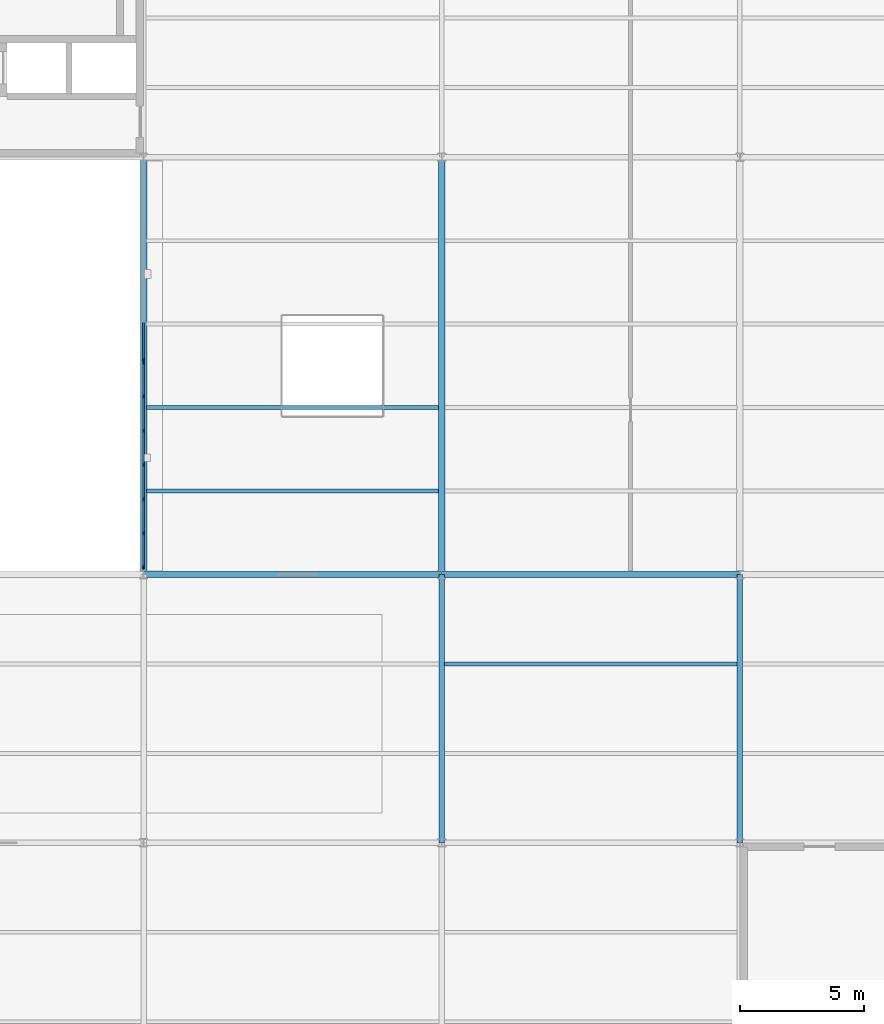
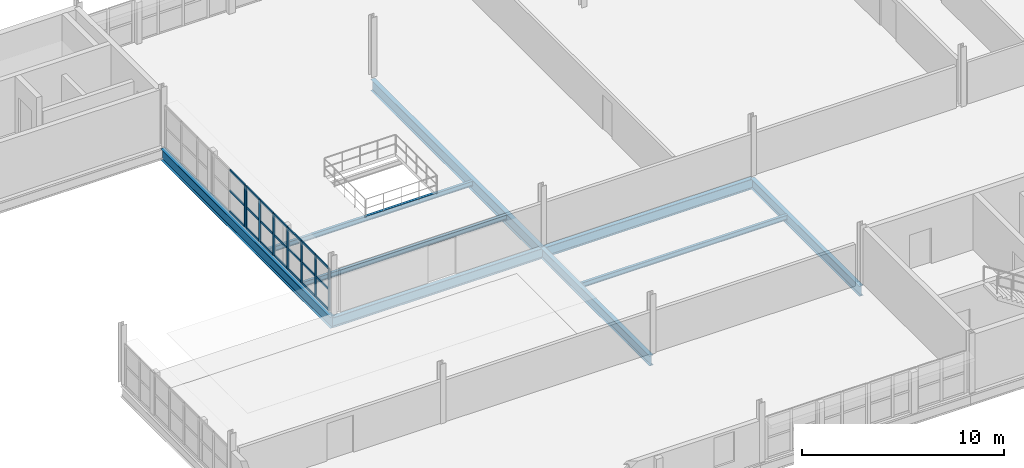
# One storey, part 37 of 79: 29 members, 9 beams, 2 elements without a shape of their own.
"""IFC4 building model written with IfcOpenShell, lengths in metres."""

from ifc_helpers import new_model, si_unit, direction, frame, origin, origin_2d, place, context, subcontext, project, spatial, rectangle, i_section, extrude, material, layer, layer_set, material_profile, profile_set, type_object, element, aggregate, save


model = new_model("IFC4")

# Units and contexts
model_context = context("Model", 3, precision=1e-05, world=origin(), true_north=direction((0.0, 1.0)))
body_context = subcontext(model_context, "Body", "Model", "MODEL_VIEW")
ifc_project = project(units=[si_unit("LENGTHUNIT", "METRE"), si_unit("AREAUNIT", "SQUARE_METRE"), si_unit("VOLUMEUNIT", "CUBIC_METRE"), si_unit("PLANEANGLEUNIT", "RADIAN"), si_unit("MASSUNIT", "GRAM", prefix="KILO"), si_unit("THERMODYNAMICTEMPERATUREUNIT", "KELVIN"), si_unit("POWERUNIT", "WATT")], contexts=[model_context])

# Site, building, storey
site_placement = place(None, origin())
site = spatial("IfcSite", under=ifc_project, at=site_placement, CompositionType="ELEMENT")
building_placement = place(site_placement, origin())
building = spatial("IfcBuilding", under=site, at=building_placement, Name="Tembeka Court Mobility Hub", CompositionType="ELEMENT")
storey_placement = place(building_placement, frame((0.0, 0.0, 9.0)))
storey = spatial("IfcBuildingStorey", under=building, at=storey_placement, Name="L02", CompositionType="ELEMENT", Elevation=9.0)

# Beams
ifc_material_1 = material(Name="Steel S355", Category="steel")
ifc_material_profile_1 = material_profile(ifc_material_1, i_section(OverallWidth=0.25390625, OverallDepth=0.68408203125, WebThickness=0.012451171875, FlangeThickness=0.01904296875, FilletRadius=0.01513671875, at=origin_2d()), Name="UKB 686x254x140")
ifc_profile_set_1 = profile_set([ifc_material_profile_1], Name="Steel S355")
beam_type_1 = type_object("IfcBeamType", Name="BM-G01", PredefinedType="USERDEFINED", material=ifc_profile_set_1)
for number, where, z_axis, x_axis, name in (
    (1, (128.39990234375, 21.60009765625, -0.531982421875), (0.0, 1.0, 0.0), (-1.0, 0.0, 0.0), "Beam G01 (BM-L02-Y1417)"),
    (2, (140.39990234375, 21.60009765625, -0.531982421875), (0.0, 1.0, 0.0), (-1.0, 0.0, 0.0), "Beam G01 (BM-L02-Y1421)"),
):
    element("IfcBeam", number, at=place(storey_placement, frame(where, z_axis=z_axis, x_axis=x_axis)), inside=storey, type_object=beam_type_1, Name=name, ObjectType="GIRDER", PredefinedType="USERDEFINED", context=body_context, shape_type="SweptSolid", body=[
        extrude(i_section(OverallWidth=0.25390625, OverallDepth=0.68408203125, WebThickness=0.012451171875, FlangeThickness=0.01904296875, FilletRadius=0.01513671875, at=origin_2d()), origin(), (0.0, 0.0, 1.0), 16.7998046875),
    ])
ifc_material_profile_2 = material_profile(ifc_material_1, i_section(OverallWidth=0.22900390625, OverallDepth=0.612060546875, WebThickness=0.011962890625, FlangeThickness=0.01953125, FilletRadius=0.0126953125, at=origin_2d()), Name="UKB 610x229x125")
ifc_profile_set_2 = profile_set([ifc_material_profile_2], Name="Steel S355")
beam_type_2 = type_object("IfcBeamType", Name="BM-G02", PredefinedType="USERDEFINED", material=ifc_profile_set_2)
for number, where, z_axis, x_axis, name in (
    (3, (128.39990234375, 21.60009765625, -0.49609375), (1.0, 0.0, 0.0), (0.0, 1.0, 0.0), "Beam G02 (BM-L02-X1205)"),
    (4, (140.39990234375, 21.60009765625, -0.49609375), (1.0, 0.0, 0.0), (0.0, 1.0, 0.0), "Beam G02 (BM-L02-X1206)"),
):
    element("IfcBeam", number, at=place(storey_placement, frame(where, z_axis=z_axis, x_axis=x_axis)), inside=storey, type_object=beam_type_2, Name=name, ObjectType="GIRDER", PredefinedType="USERDEFINED", context=body_context, shape_type="SweptSolid", body=[
        extrude(i_section(OverallWidth=0.22900390625, OverallDepth=0.612060546875, WebThickness=0.011962890625, FlangeThickness=0.01953125, FilletRadius=0.0126953125, at=origin_2d()), origin(), (0.0, 0.0, 1.0), 12.0),
    ])
for number, where, z_axis, x_axis, name in (
    (5, (140.39990234375, 10.800048828125, -0.49609375), (0.0, 1.0, 0.0), (-1.0, 0.0, 0.0), "Beam G02 (BM-L02-Y1420)"),
    (6, (152.39990234375, 10.800048828125, -0.49609375), (0.0, 1.0, 0.0), (-1.0, 0.0, 0.0), "Beam G02 (BM-L02-Y1424)"),
):
    element("IfcBeam", number, at=place(storey_placement, frame(where, z_axis=z_axis, x_axis=x_axis)), inside=storey, type_object=beam_type_2, Name=name, ObjectType="GIRDER", PredefinedType="USERDEFINED", context=body_context, shape_type="SweptSolid", body=[
        extrude(i_section(OverallWidth=0.22900390625, OverallDepth=0.612060546875, WebThickness=0.011962890625, FlangeThickness=0.01953125, FilletRadius=0.0126953125, at=origin_2d()), origin(), (0.0, 0.0, 1.0), 10.800048828125),
    ])
ifc_material_profile_3 = material_profile(ifc_material_1, i_section(OverallWidth=0.14990234375, OverallDepth=0.300048828125, WebThickness=0.007080078125, FlangeThickness=0.0107421875, FilletRadius=0.014892578125, at=origin_2d()), Name="IPE 300")
ifc_profile_set_3 = profile_set([ifc_material_profile_3], Name="Steel S355")
beam_type_3 = type_object("IfcBeamType", Name="BM-J04", PredefinedType="JOIST", material=ifc_profile_set_3)
for number, where, z_axis, x_axis, name in (
    (7, (128.52197265625, 24.9599609375, -0.340087890625), (1.0, 0.0, 0.0), (0.0, 1.0, 0.0), "Beam J04 (JST-L02-1643)"),
    (8, (128.52197265625, 28.320068359375, -0.340087890625), (1.0, 0.0, 0.0), (0.0, 1.0, 0.0), "Beam J04 (JST-L02-1644)"),
):
    element("IfcBeam", number, at=place(storey_placement, frame(where, z_axis=z_axis, x_axis=x_axis)), inside=storey, type_object=beam_type_3, Name=name, PredefinedType="JOIST", context=body_context, shape_type="SweptSolid", body=[
        extrude(i_section(OverallWidth=0.14990234375, OverallDepth=0.300048828125, WebThickness=0.007080078125, FlangeThickness=0.0107421875, FilletRadius=0.014892578125, at=origin_2d()), origin(), (0.0, 0.0, 1.0), 11.756103515625),
    ])
beam_placement = place(storey_placement, frame((140.509521484375, 18.0, -0.340087890625), z_axis=(1.0, 0.0, 0.0), x_axis=(0.0, 1.0, 0.0)))
element("IfcBeam", 9, at=beam_placement, inside=storey, type_object=beam_type_3, Name="Beam J04 (JST-L02-1652)", PredefinedType="JOIST", context=body_context, shape_type="SweptSolid", body=[
    extrude(i_section(OverallWidth=0.14990234375, OverallDepth=0.300048828125, WebThickness=0.007080078125, FlangeThickness=0.0107421875, FilletRadius=0.014892578125, at=origin_2d()), origin(), (0.0, 0.0, 1.0), 11.781005859375),
])

# Curtain wall, members
ifc_material_2 = material(Name="Anodised aluminium 6063-T6", Category="aluminium")
ifc_layer_1 = layer(ifc_material_2, 0.159912109375)
ifc_layer_set_1 = layer_set([ifc_layer_1], Name="Anodised aluminium 6063-T6")
curtain_wall_type_1 = type_object("IfcCurtainWallType", Name="CW-SYS53", PredefinedType="USERDEFINED", material=ifc_layer_set_1)
curtain_wall_1_placement = place(storey_placement, origin())
curtain_wall_1 = element("IfcCurtainWall", 10, at=curtain_wall_1_placement, inside=storey, type_object=curtain_wall_type_1, Name="Unitised curtain wall CW53 (CW-L02-131)", ObjectType="UNITISED GLAZING", PredefinedType="USERDEFINED")
ifc_material_profile_4 = material_profile(ifc_material_2, rectangle(XDim=0.06494140625, YDim=0.159912109375, at=origin_2d()), Name="ALU-MUL 65x160")
ifc_profile_set_4 = profile_set([ifc_material_profile_4], Name="Anodised aluminium 6063-T6")
member_type_1 = type_object("IfcMemberType", Name="CW-MUL01", PredefinedType="MULLION", material=ifc_profile_set_4)
member_1_placement = place(storey_placement, frame((128.39990234375, 21.91259765625, 0.0), z_axis=(0.0, 0.0, 1.0), x_axis=(-1.0, 0.0, 0.0)))
member_1 = element("IfcMember", 11, at=member_1_placement, type_object=member_type_1, Name="CW53 mullion 1", PredefinedType="MULLION", context=body_context, shape_type="SweptSolid", body=[
    extrude(rectangle(XDim=0.06494140625, YDim=0.159912109375, at=origin_2d()), origin(), (0.0, 0.0, 1.0), 2.534912109375),
])
member_2_placement = place(storey_placement, frame((128.39990234375, 23.258056640625, 0.0), z_axis=(0.0, 0.0, 1.0), x_axis=(-1.0, 0.0, 0.0)))
member_2 = element("IfcMember", 12, at=member_2_placement, type_object=member_type_1, Name="CW53 mullion 2", PredefinedType="MULLION", context=body_context, shape_type="SweptSolid", body=[
    extrude(rectangle(XDim=0.06494140625, YDim=0.159912109375, at=origin_2d()), origin(), (0.0, 0.0, 1.0), 2.534912109375),
])
member_3_placement = place(storey_placement, frame((128.39990234375, 24.635986328125, 0.0), z_axis=(0.0, 0.0, 1.0), x_axis=(-1.0, 0.0, 0.0)))
member_3 = element("IfcMember", 13, at=member_3_placement, type_object=member_type_1, Name="CW53 mullion 3", PredefinedType="MULLION", context=body_context, shape_type="SweptSolid", body=[
    extrude(rectangle(XDim=0.06494140625, YDim=0.159912109375, at=origin_2d()), origin(), (0.0, 0.0, 1.0), 2.534912109375),
])
member_4_placement = place(storey_placement, frame((128.39990234375, 26.013916015625, 0.0), z_axis=(0.0, 0.0, 1.0), x_axis=(-1.0, 0.0, 0.0)))
member_4 = element("IfcMember", 14, at=member_4_placement, type_object=member_type_1, Name="CW53 mullion 4", PredefinedType="MULLION", context=body_context, shape_type="SweptSolid", body=[
    extrude(rectangle(XDim=0.06494140625, YDim=0.159912109375, at=origin_2d()), origin(), (0.0, 0.0, 1.0), 2.534912109375),
])
member_5_placement = place(storey_placement, frame((128.39990234375, 27.39208984375, 0.0), z_axis=(0.0, 0.0, 1.0), x_axis=(-1.0, 0.0, 0.0)))
member_5 = element("IfcMember", 15, at=member_5_placement, type_object=member_type_1, Name="CW53 mullion 5", PredefinedType="MULLION", context=body_context, shape_type="SweptSolid", body=[
    extrude(rectangle(XDim=0.06494140625, YDim=0.159912109375, at=origin_2d()), origin(), (0.0, 0.0, 1.0), 2.534912109375),
])
member_6_placement = place(storey_placement, frame((128.39990234375, 28.77001953125, 0.0), z_axis=(0.0, 0.0, 1.0), x_axis=(-1.0, 0.0, 0.0)))
member_6 = element("IfcMember", 16, at=member_6_placement, type_object=member_type_1, Name="CW53 mullion 6", PredefinedType="MULLION", context=body_context, shape_type="SweptSolid", body=[
    extrude(rectangle(XDim=0.06494140625, YDim=0.159912109375, at=origin_2d()), origin(), (0.0, 0.0, 1.0), 2.534912109375),
])
member_7_placement = place(storey_placement, frame((128.39990234375, 30.115478515625, 0.0), z_axis=(0.0, 0.0, 1.0), x_axis=(-1.0, 0.0, 0.0)))
member_7 = element("IfcMember", 17, at=member_7_placement, type_object=member_type_1, Name="CW53 mullion 7", PredefinedType="MULLION", context=body_context, shape_type="SweptSolid", body=[
    extrude(rectangle(XDim=0.06494140625, YDim=0.159912109375, at=origin_2d()), origin(), (0.0, 0.0, 1.0), 2.534912109375),
])

# Curtain wall, member
ifc_layer_2 = layer(ifc_material_2, 0.159912109375)
ifc_layer_set_2 = layer_set([ifc_layer_2], Name="Anodised aluminium 6063-T6")
curtain_wall_type_2 = type_object("IfcCurtainWallType", Name="CW-SYS54", PredefinedType="USERDEFINED", material=ifc_layer_set_2)
curtain_wall_2_placement = place(storey_placement, origin())
curtain_wall_2 = element("IfcCurtainWall", 18, at=curtain_wall_2_placement, inside=storey, type_object=curtain_wall_type_2, Name="Unitised curtain wall CW54 (CW-L02-132)", ObjectType="UNITISED GLAZING", PredefinedType="USERDEFINED")
member_8_placement = place(storey_placement, frame((128.39990234375, 30.220458984375, 0.0), z_axis=(0.0, 0.0, 1.0), x_axis=(-1.0, 0.0, 0.0)))
member_8 = element("IfcMember", 19, at=member_8_placement, type_object=member_type_1, Name="CW54 mullion 1", PredefinedType="MULLION", context=body_context, shape_type="SweptSolid", body=[
    extrude(rectangle(XDim=0.06494140625, YDim=0.159912109375, at=origin_2d()), origin(), (0.0, 0.0, 1.0), 2.534912109375),
])

# Member
ifc_material_profile_5 = material_profile(ifc_material_2, rectangle(XDim=0.06494140625, YDim=0.1201171875, at=origin_2d()), Name="ALU-TRN 65x120")
ifc_profile_set_5 = profile_set([ifc_material_profile_5], Name="Anodised aluminium 6063-T6")
member_type_2 = type_object("IfcMemberType", Name="CW-TRN01", PredefinedType="USERDEFINED", material=ifc_profile_set_5)
member_9_placement = place(storey_placement, frame((128.39990234375, 21.945068359375, 0.032470703125), z_axis=(0.0, 1.0, 0.0), x_axis=(-1.0, 0.0, 0.0)))
member_9 = element("IfcMember", 20, at=member_9_placement, type_object=member_type_2, Name="CW53 transom 1.1", ObjectType="TRANSOM", PredefinedType="USERDEFINED", context=body_context, shape_type="SweptSolid", body=[
    extrude(rectangle(XDim=0.06494140625, YDim=0.1201171875, at=origin_2d()), origin(), (0.0, 0.0, 1.0), 1.280517578125),
])

member_10_placement = place(storey_placement, frame((128.39990234375, 21.945068359375, 1.267578125), z_axis=(0.0, 1.0, 0.0), x_axis=(-1.0, 0.0, 0.0)))
member_10 = element("IfcMember", 21, at=member_10_placement, type_object=member_type_2, Name="CW53 transom 1.2", ObjectType="TRANSOM", PredefinedType="USERDEFINED", context=body_context, shape_type="SweptSolid", body=[
    extrude(rectangle(XDim=0.06494140625, YDim=0.1201171875, at=origin_2d()), origin(), (0.0, 0.0, 1.0), 1.280517578125),
])

member_11_placement = place(storey_placement, frame((128.39990234375, 21.945068359375, 2.50244140625), z_axis=(0.0, 1.0, 0.0), x_axis=(-1.0, 0.0, 0.0)))
member_11 = element("IfcMember", 22, at=member_11_placement, type_object=member_type_2, Name="CW53 transom 1.3", ObjectType="TRANSOM", PredefinedType="USERDEFINED", context=body_context, shape_type="SweptSolid", body=[
    extrude(rectangle(XDim=0.06494140625, YDim=0.1201171875, at=origin_2d()), origin(), (0.0, 0.0, 1.0), 1.280517578125),
])

member_12_placement = place(storey_placement, frame((128.39990234375, 23.29052734375, 0.032470703125), z_axis=(0.0, 1.0, 0.0), x_axis=(-1.0, 0.0, 0.0)))
member_12 = element("IfcMember", 23, at=member_12_placement, type_object=member_type_2, Name="CW53 transom 2.1", ObjectType="TRANSOM", PredefinedType="USERDEFINED", context=body_context, shape_type="SweptSolid", body=[
    extrude(rectangle(XDim=0.06494140625, YDim=0.1201171875, at=origin_2d()), origin(), (0.0, 0.0, 1.0), 1.31298828125),
])

member_13_placement = place(storey_placement, frame((128.39990234375, 23.29052734375, 1.267578125), z_axis=(0.0, 1.0, 0.0), x_axis=(-1.0, 0.0, 0.0)))
member_13 = element("IfcMember", 24, at=member_13_placement, type_object=member_type_2, Name="CW53 transom 2.2", ObjectType="TRANSOM", PredefinedType="USERDEFINED", context=body_context, shape_type="SweptSolid", body=[
    extrude(rectangle(XDim=0.06494140625, YDim=0.1201171875, at=origin_2d()), origin(), (0.0, 0.0, 1.0), 1.31298828125),
])

member_14_placement = place(storey_placement, frame((128.39990234375, 23.29052734375, 2.50244140625), z_axis=(0.0, 1.0, 0.0), x_axis=(-1.0, 0.0, 0.0)))
member_14 = element("IfcMember", 25, at=member_14_placement, type_object=member_type_2, Name="CW53 transom 2.3", ObjectType="TRANSOM", PredefinedType="USERDEFINED", context=body_context, shape_type="SweptSolid", body=[
    extrude(rectangle(XDim=0.06494140625, YDim=0.1201171875, at=origin_2d()), origin(), (0.0, 0.0, 1.0), 1.31298828125),
])

member_15_placement = place(storey_placement, frame((128.39990234375, 24.66845703125, 0.032470703125), z_axis=(0.0, 1.0, 0.0), x_axis=(-1.0, 0.0, 0.0)))
member_15 = element("IfcMember", 26, at=member_15_placement, type_object=member_type_2, Name="CW53 transom 3.1", ObjectType="TRANSOM", PredefinedType="USERDEFINED", context=body_context, shape_type="SweptSolid", body=[
    extrude(rectangle(XDim=0.06494140625, YDim=0.1201171875, at=origin_2d()), origin(), (0.0, 0.0, 1.0), 1.31298828125),
])

member_16_placement = place(storey_placement, frame((128.39990234375, 24.66845703125, 1.267578125), z_axis=(0.0, 1.0, 0.0), x_axis=(-1.0, 0.0, 0.0)))
member_16 = element("IfcMember", 27, at=member_16_placement, type_object=member_type_2, Name="CW53 transom 3.2", ObjectType="TRANSOM", PredefinedType="USERDEFINED", context=body_context, shape_type="SweptSolid", body=[
    extrude(rectangle(XDim=0.06494140625, YDim=0.1201171875, at=origin_2d()), origin(), (0.0, 0.0, 1.0), 1.31298828125),
])

member_17_placement = place(storey_placement, frame((128.39990234375, 24.66845703125, 2.50244140625), z_axis=(0.0, 1.0, 0.0), x_axis=(-1.0, 0.0, 0.0)))
member_17 = element("IfcMember", 28, at=member_17_placement, type_object=member_type_2, Name="CW53 transom 3.3", ObjectType="TRANSOM", PredefinedType="USERDEFINED", context=body_context, shape_type="SweptSolid", body=[
    extrude(rectangle(XDim=0.06494140625, YDim=0.1201171875, at=origin_2d()), origin(), (0.0, 0.0, 1.0), 1.31298828125),
])

member_18_placement = place(storey_placement, frame((128.39990234375, 26.04638671875, 0.032470703125), z_axis=(0.0, 1.0, 0.0), x_axis=(-1.0, 0.0, 0.0)))
member_18 = element("IfcMember", 29, at=member_18_placement, type_object=member_type_2, Name="CW53 transom 4.1", ObjectType="TRANSOM", PredefinedType="USERDEFINED", context=body_context, shape_type="SweptSolid", body=[
    extrude(rectangle(XDim=0.06494140625, YDim=0.1201171875, at=origin_2d()), origin(), (0.0, 0.0, 1.0), 1.313232421875),
])

member_19_placement = place(storey_placement, frame((128.39990234375, 26.04638671875, 1.267578125), z_axis=(0.0, 1.0, 0.0), x_axis=(-1.0, 0.0, 0.0)))
member_19 = element("IfcMember", 30, at=member_19_placement, type_object=member_type_2, Name="CW53 transom 4.2", ObjectType="TRANSOM", PredefinedType="USERDEFINED", context=body_context, shape_type="SweptSolid", body=[
    extrude(rectangle(XDim=0.06494140625, YDim=0.1201171875, at=origin_2d()), origin(), (0.0, 0.0, 1.0), 1.313232421875),
])

member_20_placement = place(storey_placement, frame((128.39990234375, 26.04638671875, 2.50244140625), z_axis=(0.0, 1.0, 0.0), x_axis=(-1.0, 0.0, 0.0)))
member_20 = element("IfcMember", 31, at=member_20_placement, type_object=member_type_2, Name="CW53 transom 4.3", ObjectType="TRANSOM", PredefinedType="USERDEFINED", context=body_context, shape_type="SweptSolid", body=[
    extrude(rectangle(XDim=0.06494140625, YDim=0.1201171875, at=origin_2d()), origin(), (0.0, 0.0, 1.0), 1.313232421875),
])

member_21_placement = place(storey_placement, frame((128.39990234375, 27.424560546875, 0.032470703125), z_axis=(0.0, 1.0, 0.0), x_axis=(-1.0, 0.0, 0.0)))
member_21 = element("IfcMember", 32, at=member_21_placement, type_object=member_type_2, Name="CW53 transom 5.1", ObjectType="TRANSOM", PredefinedType="USERDEFINED", context=body_context, shape_type="SweptSolid", body=[
    extrude(rectangle(XDim=0.06494140625, YDim=0.1201171875, at=origin_2d()), origin(), (0.0, 0.0, 1.0), 1.31298828125),
])

member_22_placement = place(storey_placement, frame((128.39990234375, 27.424560546875, 1.267578125), z_axis=(0.0, 1.0, 0.0), x_axis=(-1.0, 0.0, 0.0)))
member_22 = element("IfcMember", 33, at=member_22_placement, type_object=member_type_2, Name="CW53 transom 5.2", ObjectType="TRANSOM", PredefinedType="USERDEFINED", context=body_context, shape_type="SweptSolid", body=[
    extrude(rectangle(XDim=0.06494140625, YDim=0.1201171875, at=origin_2d()), origin(), (0.0, 0.0, 1.0), 1.31298828125),
])

member_23_placement = place(storey_placement, frame((128.39990234375, 27.424560546875, 2.50244140625), z_axis=(0.0, 1.0, 0.0), x_axis=(-1.0, 0.0, 0.0)))
member_23 = element("IfcMember", 34, at=member_23_placement, type_object=member_type_2, Name="CW53 transom 5.3", ObjectType="TRANSOM", PredefinedType="USERDEFINED", context=body_context, shape_type="SweptSolid", body=[
    extrude(rectangle(XDim=0.06494140625, YDim=0.1201171875, at=origin_2d()), origin(), (0.0, 0.0, 1.0), 1.31298828125),
])

member_24_placement = place(storey_placement, frame((128.39990234375, 28.802490234375, 0.032470703125), z_axis=(0.0, 1.0, 0.0), x_axis=(-1.0, 0.0, 0.0)))
member_24 = element("IfcMember", 35, at=member_24_placement, type_object=member_type_2, Name="CW53 transom 6.1", ObjectType="TRANSOM", PredefinedType="USERDEFINED", context=body_context, shape_type="SweptSolid", body=[
    extrude(rectangle(XDim=0.06494140625, YDim=0.1201171875, at=origin_2d()), origin(), (0.0, 0.0, 1.0), 1.280517578125),
])

member_25_placement = place(storey_placement, frame((128.39990234375, 28.802490234375, 1.267578125), z_axis=(0.0, 1.0, 0.0), x_axis=(-1.0, 0.0, 0.0)))
member_25 = element("IfcMember", 36, at=member_25_placement, type_object=member_type_2, Name="CW53 transom 6.2", ObjectType="TRANSOM", PredefinedType="USERDEFINED", context=body_context, shape_type="SweptSolid", body=[
    extrude(rectangle(XDim=0.06494140625, YDim=0.1201171875, at=origin_2d()), origin(), (0.0, 0.0, 1.0), 1.280517578125),
])

member_26_placement = place(storey_placement, frame((128.39990234375, 28.802490234375, 2.50244140625), z_axis=(0.0, 1.0, 0.0), x_axis=(-1.0, 0.0, 0.0)))
member_26 = element("IfcMember", 37, at=member_26_placement, type_object=member_type_2, Name="CW53 transom 6.3", ObjectType="TRANSOM", PredefinedType="USERDEFINED", context=body_context, shape_type="SweptSolid", body=[
    extrude(rectangle(XDim=0.06494140625, YDim=0.1201171875, at=origin_2d()), origin(), (0.0, 0.0, 1.0), 1.280517578125),
])

aggregate(curtain_wall_1, [member_1, member_2, member_3, member_4, member_5, member_6, member_7, member_9, member_10, member_11, member_12, member_13, member_14, member_15, member_16, member_17, member_18, member_19, member_20, member_21, member_22, member_23, member_24, member_25, member_26])

member_27_placement = place(storey_placement, frame((128.39990234375, 30.2529296875, 0.032470703125), z_axis=(0.0, 1.0, 0.0), x_axis=(-1.0, 0.0, 0.0)))
member_27 = element("IfcMember", 38, at=member_27_placement, type_object=member_type_2, Name="CW54 transom 1.1", ObjectType="TRANSOM", PredefinedType="USERDEFINED", context=body_context, shape_type="SweptSolid", body=[
    extrude(rectangle(XDim=0.06494140625, YDim=0.1201171875, at=origin_2d()), origin(), (0.0, 0.0, 1.0), 1.489013671875),
])

member_28_placement = place(storey_placement, frame((128.39990234375, 30.2529296875, 1.267578125), z_axis=(0.0, 1.0, 0.0), x_axis=(-1.0, 0.0, 0.0)))
member_28 = element("IfcMember", 39, at=member_28_placement, type_object=member_type_2, Name="CW54 transom 1.2", ObjectType="TRANSOM", PredefinedType="USERDEFINED", context=body_context, shape_type="SweptSolid", body=[
    extrude(rectangle(XDim=0.06494140625, YDim=0.1201171875, at=origin_2d()), origin(), (0.0, 0.0, 1.0), 1.489013671875),
])

member_29_placement = place(storey_placement, frame((128.39990234375, 30.2529296875, 2.50244140625), z_axis=(0.0, 1.0, 0.0), x_axis=(-1.0, 0.0, 0.0)))
member_29 = element("IfcMember", 40, at=member_29_placement, type_object=member_type_2, Name="CW54 transom 1.3", ObjectType="TRANSOM", PredefinedType="USERDEFINED", context=body_context, shape_type="SweptSolid", body=[
    extrude(rectangle(XDim=0.06494140625, YDim=0.1201171875, at=origin_2d()), origin(), (0.0, 0.0, 1.0), 1.489013671875),
])

aggregate(curtain_wall_2, [member_8, member_27, member_28, member_29])

save(model, "model.ifc")
